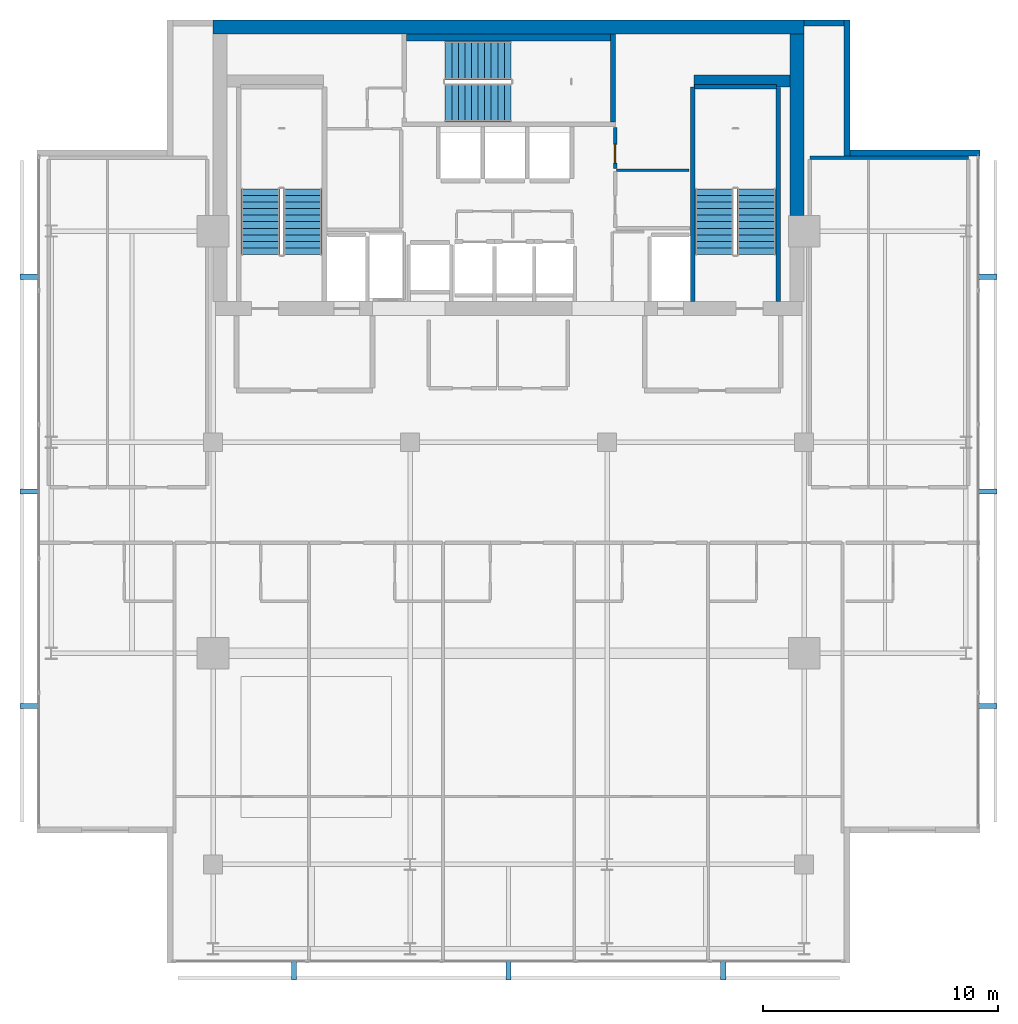
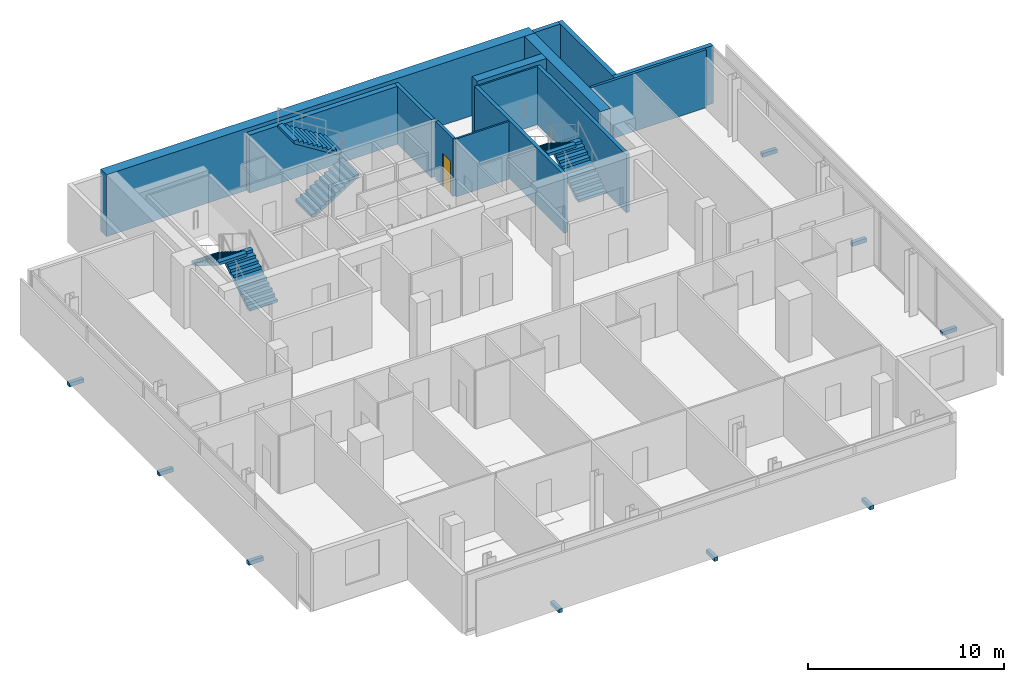
# One storey, part 20 of 24: 14 walls, 9 discrete accessories, 6 stair flights, 1 door, 1 opening, 3 elements without a shape of their own.
"""IFC4 building model written with IfcOpenShell, lengths in metres."""

from ifc_helpers import new_model, si_unit, direction, frame, frame_2d, origin, origin_2d, place, context, subcontext, project, spatial, polyline, rectangle, outline, extrude, material, layer, layer_set, type_object, element, fill, aggregate, save


model = new_model("IFC4")

# Units and contexts
model_context = context("Model", 3, precision=1e-05, world=origin(), true_north=direction((0.0, 1.0)))
body_context = subcontext(model_context, "Body", "Model", "MODEL_VIEW")
ifc_project = project(units=[si_unit("LENGTHUNIT", "METRE"), si_unit("AREAUNIT", "SQUARE_METRE"), si_unit("VOLUMEUNIT", "CUBIC_METRE"), si_unit("PLANEANGLEUNIT", "RADIAN"), si_unit("MASSUNIT", "GRAM", prefix="KILO")], contexts=[model_context])

# Site, building, storey
site_placement = place(None, origin())
site = spatial("IfcSite", under=ifc_project, at=site_placement, CompositionType="ELEMENT")
building_placement = place(site_placement, origin())
building = spatial("IfcBuilding", under=site, at=building_placement, Name="Maruvema Waterfront Hotel and Observation Tower", CompositionType="ELEMENT")
storey_placement = place(building_placement, frame((0.0, 0.0, 325.85009765625)))
storey = spatial("IfcBuildingStorey", under=building, at=storey_placement, Name="L80", CompositionType="ELEMENT", Elevation=325.85009765625)

# Wall, opening, door
ifc_material_1 = material(Name="Twin-stud acoustic gypsum drywall", Category="gypsum")
ifc_layer_1 = layer(ifc_material_1, 0.14990234375, Name="Acoustic Corridor and Suite Demising Wall 150 mm")
ifc_layer_set_1 = layer_set([ifc_layer_1], Name="Twin-stud acoustic gypsum drywall")
wall_type_1 = type_object("IfcWallType", Name="Acoustic Corridor and Suite Demising Wall 150 mm", PredefinedType="PARTITIONING", material=ifc_layer_set_1)
wall_1_placement = place(storey_placement, frame((42.340087890625, 47.659912109375, 0.0), z_axis=(0.0, 0.0, 1.0), x_axis=(0.0, 1.0, 0.0)))
wall_1 = element("IfcWall", 1, at=wall_1_placement, inside=storey, type_object=wall_type_1, Name="L80 Freed B2 West N 023", PredefinedType="PARTITIONING", context=body_context, shape_type="SweptSolid", body=[
    extrude(rectangle(XDim=1.760009765625, YDim=0.14990234375, at=frame_2d((0.8798828125, 0.0))), origin(), (0.0, 0.0, 1.0), 3.60986328125),
])
opening_placement = place(wall_1_placement, frame((0.239990234375, 0.0, 0.0)))
opening = element("IfcOpeningElement", 2, at=opening_placement, cuts=wall_1, Name="Opening DR-080", PredefinedType="OPENING", context=body_context, shape_type="SweptSolid", body=[
    extrude(rectangle(XDim=0.800048828125, YDim=2.050048828125, at=frame_2d((0.39990234375, 1.02490234375))), frame((0.0, 0.0849609375, 0.0), z_axis=(0.0, -1.0, 0.0), x_axis=(1.0, 0.0, 0.0)), (0.0, 0.0, 1.0), 0.169921875),
])
ifc_material_2 = material(Name="Powder-coated steel access leaf", Category="steel")
door_type = type_object("IfcDoorType", Name="Riser and Service Cupboard Door 800x2050 mm", OperationType="NOTDEFINED", PredefinedType="DOOR", material=ifc_material_2)
door_placement = place(opening_placement, frame((0.800048828125, 0.0, 0.0), z_axis=(0.0, 0.0, 1.0), x_axis=(-1.0, 0.0, 0.0)))
door = element("IfcDoor", 3, at=door_placement, inside=storey, type_object=door_type, Name="L80 Core IT and Linen Store Door", OperationType="SINGLE_SWING_RIGHT", OverallHeight=2.050048828125, OverallWidth=0.800048828125, PredefinedType="DOOR", context=body_context, shape_type="SweptSolid", body=[
    extrude(rectangle(XDim=0.800048828125, YDim=2.050048828125, at=frame_2d((0.39990234375, 1.02490234375))), frame((0.0, 0.02490234375, 0.0), z_axis=(0.0, -1.0, 0.0), x_axis=(1.0, 0.0, 0.0)), (0.0, 0.0, 1.0), 0.050048828125),
])
fill(opening, door)

# Walls
wall_2_placement = place(storey_placement, frame((50.64990234375, 48.125, 0.0), z_axis=(0.0, 0.0, 1.0), x_axis=(1.0, 0.0, 0.0)))
element("IfcWall", 4, at=wall_2_placement, inside=storey, type_object=wall_type_1, Name="L80 L80-Z4E Back Wall 037", PredefinedType="PARTITIONING", context=body_context, shape_type="SweptSolid", body=[
    extrude(rectangle(XDim=6.75, YDim=0.14990234375, at=frame_2d((3.375, 0.0))), origin(), (0.0, 0.0, 1.0), 3.60986328125),
])
ifc_material_3 = material(Name="Precast concrete C45/55", Category="concrete")
ifc_layer_2 = layer(ifc_material_3, 0.300048828125, Name="Core Shaft Furring Wall 300 mm")
ifc_layer_set_2 = layer_set([ifc_layer_2], Name="Precast concrete C45/55")
wall_type_2 = type_object("IfcWallType", Name="Core Shaft Furring Wall 300 mm", PredefinedType="SOLIDWALL", material=ifc_layer_set_2)
wall_3_placement = place(storey_placement, frame((33.449951171875, 53.25, 0.0), z_axis=(0.0, 0.0, 1.0), x_axis=(1.0, 0.0, 0.0)))
element("IfcWall", 5, at=wall_3_placement, inside=storey, type_object=wall_type_2, Name="L80 Stairwell ST-02 North Furring Wall", PredefinedType="SOLIDWALL", context=body_context, shape_type="SweptSolid", body=[
    extrude(rectangle(XDim=8.699951171875, YDim=0.300048828125, at=frame_2d((4.35009765625, 0.0))), origin(), (0.0, 0.0, 1.0), 3.60986328125),
])
ifc_material_4 = material(Name="Precast concrete C45/55", Category="concrete")
ifc_layer_3 = layer(ifc_material_4, 0.199951171875, Name="Core Shaft and Stairwell Enclosure Wall 200 mm")
ifc_layer_set_3 = layer_set([ifc_layer_3], Name="Precast concrete C45/55")
wall_type_3 = type_object("IfcWallType", Name="Core Shaft and Stairwell Enclosure Wall 200 mm", PredefinedType="SOLIDWALL", material=ifc_layer_set_3)
wall_4_placement = place(storey_placement, frame((42.25, 49.64990234375, 0.0), z_axis=(0.0, 0.0, 1.0), x_axis=(0.0, 1.0, 0.0)))
element("IfcWall", 6, at=wall_4_placement, inside=storey, type_object=wall_type_3, Name="L80 Stairwell ST-02 Shaft Wall", PredefinedType="SOLIDWALL", context=body_context, shape_type="SweptSolid", body=[
    extrude(rectangle(XDim=3.75, YDim=0.199951171875, at=frame_2d((1.875, 0.0))), origin(), (0.0, 0.0, 1.0), 3.60986328125),
])
wall_5_placement = place(storey_placement, frame((45.64990234375, 42.0, 0.0), z_axis=(0.0, 0.0, 1.0), x_axis=(0.0, 1.0, 0.0)))
element("IfcWall", 7, at=wall_5_placement, inside=storey, type_object=wall_type_3, Name="L80 Stairwell ST-03 West Shaft Wall", PredefinedType="SOLIDWALL", context=body_context, shape_type="SweptSolid", body=[
    extrude(rectangle(XDim=9.14990234375, YDim=0.199951171875, at=frame_2d((4.574951171875, 0.0))), origin(), (0.0, 0.0, 1.0), 3.60986328125),
])
wall_6_placement = place(storey_placement, frame((49.300048828125, 42.0, 0.0), z_axis=(0.0, 0.0, 1.0), x_axis=(0.0, 1.0, 0.0)))
element("IfcWall", 8, at=wall_6_placement, inside=storey, type_object=wall_type_3, Name="L80 Stairwell ST-03 Shaft Lining Wall", PredefinedType="SOLIDWALL", context=body_context, shape_type="SweptSolid", body=[
    extrude(rectangle(XDim=9.1201171875, YDim=0.199951171875, at=frame_2d((4.56005859375, 0.0))), origin(), (0.0, 0.0, 1.0), 3.60986328125),
])
wall_7_placement = place(storey_placement, frame((45.719970703125, 51.14990234375, 0.0), z_axis=(0.0, 0.0, 1.0), x_axis=(1.0, 0.0, 0.0)))
element("IfcWall", 9, at=wall_7_placement, inside=storey, type_object=wall_type_3, Name="L80 Stairwell ST-03 Shaft Lining Wall", PredefinedType="SOLIDWALL", context=body_context, shape_type="SweptSolid", body=[
    extrude(rectangle(XDim=3.5, YDim=0.199951171875, at=frame_2d((1.75, 0.0))), origin(), (0.0, 0.0, 1.0), 3.60986328125),
])
ifc_material_5 = material(Name="Concrete C70/85", Category="concrete")
ifc_layer_4 = layer(ifc_material_5, 0.5, Name="Core Shear Wall 500 mm")
ifc_layer_set_4 = layer_set([ifc_layer_4], Name="Concrete C70/85")
wall_type_4 = type_object("IfcWallType", Name="Core Shear Wall 500 mm", PredefinedType="SHEAR", material=ifc_layer_set_4)
wall_8_placement = place(storey_placement, frame((45.699951171875, 51.39990234375, 0.0), z_axis=(0.0, 0.0, 1.0), x_axis=(1.0, 0.0, 0.0)))
element("IfcWall", 10, at=wall_8_placement, inside=storey, type_object=wall_type_4, Name="L80 Internal Core Shear Wall NE 500 mm", PredefinedType="SHEAR", context=body_context, shape_type="SweptSolid", body=[
    extrude(rectangle(XDim=4.10009765625, YDim=0.5, at=frame_2d((2.050048828125, 0.0))), origin(), (0.0, 0.0, 1.0), 3.849853515625),
])
ifc_material_6 = material(Name="Concrete C60/75", Category="concrete")
ifc_layer_5 = layer(ifc_material_6, 0.60009765625, Name="Core Shear Wall 600 mm")
ifc_layer_set_5 = layer_set([ifc_layer_5], Name="Concrete C60/75")
wall_type_5 = type_object("IfcWallType", Name="Core Shear Wall 600 mm", PredefinedType="SHEAR", material=ifc_layer_set_5)
wall_9_placement = place(storey_placement, frame((25.199951171875, 53.699951171875, 0.0), z_axis=(0.0, 0.0, 1.0), x_axis=(1.0, 0.0, 0.0)))
element("IfcWall", 11, at=wall_9_placement, inside=storey, type_object=wall_type_5, Name="L80 North Core Shear Wall", PredefinedType="SHEAR", context=body_context, shape_type="SweptSolid", body=[
    extrude(rectangle(XDim=25.199951171875, YDim=0.60009765625, at=frame_2d((12.60009765625, 0.0))), origin(), (0.0, 0.0, 1.0), 3.849853515625),
])
wall_10_placement = place(storey_placement, frame((50.10009765625, 45.675048828125, 0.0), z_axis=(0.0, 0.0, 1.0), x_axis=(0.0, 1.0, 0.0)))
element("IfcWall", 12, at=wall_10_placement, inside=storey, type_object=wall_type_5, Name="L80 East-North Core Shear Wall", PredefinedType="SHEAR", context=body_context, shape_type="SweptSolid", body=[
    extrude(rectangle(XDim=7.724853515625, YDim=0.60009765625, at=frame_2d((3.8623046875, 0.0))), origin(), (0.0, 0.0, 1.0), 3.849853515625),
])
ifc_material_7 = material(Name="Moisture-resistant cement-board drywall", Category="gypsum")
ifc_layer_6 = layer(ifc_material_7, 0.10009765625, Name="En-Suite Moisture-Resistant Partition 100 mm")
ifc_layer_set_6 = layer_set([ifc_layer_6], Name="Moisture-resistant cement-board drywall")
wall_type_6 = type_object("IfcWallType", Name="En-Suite Moisture-Resistant Partition 100 mm", PredefinedType="PARTITIONING", material=ifc_layer_set_6)
wall_11_placement = place(storey_placement, frame((42.39990234375, 47.60009765625, 0.0), z_axis=(0.0, 0.0, 1.0), x_axis=(1.0, 0.0, 0.0)))
element("IfcWall", 13, at=wall_11_placement, inside=storey, type_object=wall_type_6, Name="L80 Freed B2 Split 024", PredefinedType="PARTITIONING", context=body_context, shape_type="SweptSolid", body=[
    extrude(rectangle(XDim=3.10009765625, YDim=0.10009765625, at=frame_2d((1.550048828125, 0.0))), origin(), (0.0, 0.0, 1.0), 3.60986328125),
])
ifc_material_8 = material(Name="Precast concrete C45/55 with honed Pernambuco granite facing", Category="masonry")
ifc_layer_7 = layer(ifc_material_8, 0.260009765625, Name="Exterior Granite Clad Spandrel and Pier Wall 260 mm")
ifc_layer_set_7 = layer_set([ifc_layer_7], Name="Precast concrete C45/55 with honed Pernambuco granite facing")
wall_type_7 = type_object("IfcWallType", Name="Exterior Granite Clad Spandrel and Pier Wall 260 mm", PredefinedType="SOLIDWALL", material=ifc_layer_set_7)
wall_12_placement = place(storey_placement, frame((52.22998046875, 54.0, 0.0), z_axis=(0.0, 0.0, 1.0), x_axis=(0.0, -1.0, 0.0)))
element("IfcWall", 14, at=wall_12_placement, inside=storey, type_object=wall_type_7, Name="L80 Corner Notch Granite Pier Wall NE1", PredefinedType="SOLIDWALL", context=body_context, shape_type="SweptSolid", body=[
    extrude(rectangle(XDim=5.800048828125, YDim=0.260009765625, at=frame_2d((2.89990234375, 0.0))), origin(), (0.0, 0.0, 1.0), 3.60986328125),
])
wall_13_placement = place(storey_placement, frame((52.10009765625, 48.330078125, 0.0), z_axis=(0.0, 0.0, 1.0), x_axis=(1.0, 0.0, 0.0)))
element("IfcWall", 15, at=wall_13_placement, inside=storey, type_object=wall_type_7, Name="L80 Corner Notch Granite Pier Wall NE2", PredefinedType="SOLIDWALL", context=body_context, shape_type="SweptSolid", body=[
    extrude(rectangle(XDim=5.7998046875, YDim=0.260009765625, at=frame_2d((2.89990234375, 0.0))), origin(), (0.0, 0.0, 1.0), 3.60986328125),
])
wall_14_placement = place(storey_placement, frame((52.10009765625, 53.8701171875, 0.0), z_axis=(0.0, 0.0, 1.0), x_axis=(-1.0, 0.0, 0.0)))
element("IfcWall", 16, at=wall_14_placement, inside=storey, type_object=wall_type_7, Name="L80 North-East Core Flanking Pier Wall", PredefinedType="SOLIDWALL", context=body_context, shape_type="SweptSolid", body=[
    extrude(rectangle(XDim=1.7001953125, YDim=0.260009765625, at=frame_2d((0.85009765625, 0.0))), origin(), (0.0, 0.0, 1.0), 3.60986328125),
])

# Stair, stair flights
ifc_material_9 = material(Name="Concrete C50/60", Category="concrete")
stair_type = type_object("IfcStairType", Name="Dogleg Exit Stair 1650 mm (22R x 175.0 mm)", PredefinedType="HALF_TURN_STAIR", material=ifc_material_9)
stair_1_placement = place(storey_placement, origin())
stair_1 = element("IfcStair", 17, at=stair_1_placement, inside=storey, type_object=stair_type, Name="L80 ST-01", PredefinedType="HALF_TURN_STAIR")
ifc_material_10 = material(Name="Concrete C50/60", Category="concrete")
stair_flight_type = type_object("IfcStairFlightType", Name="Reinforced Concrete Stair Flight 1650 mm (11R x 175.0 mm)", PredefinedType="STRAIGHT", material=ifc_material_10)
stair_flight_1_placement = place(storey_placement, frame((29.02490234375, 44.0, 0.0), z_axis=(0.0, 0.0, 1.0), x_axis=(0.0, 1.0, 0.0)))
stair_flight_1 = element("IfcStairFlight", 18, at=stair_flight_1_placement, type_object=stair_flight_type, Name="ST-01 flight 1", NumberOfRisers=11, NumberOfTreads=10, PredefinedType="STRAIGHT", RiserHeight=0.175, TreadLength=0.28, context=body_context, shape_type="SweptSolid", body=[
    extrude(outline(polyline([(0.0, 0.0), (0.0, 0.175048828125), (0.280029296875, 0.175048828125), (0.280029296875, 0.35009765625), (0.56005859375, 0.35009765625), (0.56005859375, 0.52490234375), (0.840087890625, 0.52490234375), (0.840087890625, 0.699951171875), (1.1201171875, 0.699951171875), (1.1201171875, 0.875), (1.39990234375, 0.875), (1.39990234375, 1.050048828125), (1.679931640625, 1.050048828125), (1.679931640625, 1.22509765625), (1.9599609375, 1.22509765625), (1.9599609375, 1.39990234375), (2.239990234375, 1.39990234375), (2.239990234375, 1.574951171875), (2.52001953125, 1.574951171875), (2.52001953125, 1.75), (2.800048828125, 1.75), (2.800048828125, 1.925048828125), (2.800048828125, 1.5732421875), (0.28271484375, 0.0), (0.0, 0.0)])), frame((0.0, 0.824951171875, 0.0), z_axis=(0.0, -1.0, 0.0), x_axis=(1.0, 0.0, 0.0)), (0.0, 0.0, 1.0), 1.64990234375),
])
stair_flight_2_placement = place(storey_placement, frame((27.22509765625, 46.800048828125, 1.9248046875), z_axis=(0.0, 0.0, 1.0), x_axis=(0.0, -1.0, 0.0)))
stair_flight_2 = element("IfcStairFlight", 19, at=stair_flight_2_placement, type_object=stair_flight_type, Name="ST-01 flight 2", NumberOfRisers=11, NumberOfTreads=10, PredefinedType="STRAIGHT", RiserHeight=0.175, TreadLength=0.28, context=body_context, shape_type="SweptSolid", body=[
    extrude(outline(polyline([(0.0, 0.0), (0.0, 0.175048828125), (0.280029296875, 0.175048828125), (0.280029296875, 0.35009765625), (0.56005859375, 0.35009765625), (0.56005859375, 0.52490234375), (0.840087890625, 0.52490234375), (0.840087890625, 0.699951171875), (1.1201171875, 0.699951171875), (1.1201171875, 0.875), (1.39990234375, 0.875), (1.39990234375, 1.050048828125), (1.679931640625, 1.050048828125), (1.679931640625, 1.22509765625), (1.9599609375, 1.22509765625), (1.9599609375, 1.39990234375), (2.239990234375, 1.39990234375), (2.239990234375, 1.574951171875), (2.52001953125, 1.574951171875), (2.52001953125, 1.75), (2.800048828125, 1.75), (2.800048828125, 1.925048828125), (2.800048828125, 1.5732421875), (0.28271484375, 0.0), (0.0, 0.0)])), frame((0.0, 0.824951171875, 0.0), z_axis=(0.0, -1.0, 0.0), x_axis=(1.0, 0.0, 0.0)), (0.0, 0.0, 1.0), 1.64990234375),
])
aggregate(stair_1, [stair_flight_1, stair_flight_2])

stair_2_placement = place(storey_placement, origin())
stair_2 = element("IfcStair", 20, at=stair_2_placement, inside=storey, type_object=stair_type, Name="L80 ST-02", PredefinedType="HALF_TURN_STAIR")
stair_flight_3_placement = place(storey_placement, frame((35.10009765625, 50.47509765625, 0.0), z_axis=(0.0, 0.0, 1.0), x_axis=(1.0, 0.0, 0.0)))
stair_flight_3 = element("IfcStairFlight", 21, at=stair_flight_3_placement, type_object=stair_flight_type, Name="ST-02 flight 1", NumberOfRisers=11, NumberOfTreads=10, PredefinedType="STRAIGHT", RiserHeight=0.175, TreadLength=0.28, context=body_context, shape_type="SweptSolid", body=[
    extrude(outline(polyline([(0.0, 0.0), (0.0, 0.175048828125), (0.280029296875, 0.175048828125), (0.280029296875, 0.35009765625), (0.56005859375, 0.35009765625), (0.56005859375, 0.52490234375), (0.840087890625, 0.52490234375), (0.840087890625, 0.699951171875), (1.1201171875, 0.699951171875), (1.1201171875, 0.875), (1.39990234375, 0.875), (1.39990234375, 1.050048828125), (1.679931640625, 1.050048828125), (1.679931640625, 1.22509765625), (1.9599609375, 1.22509765625), (1.9599609375, 1.39990234375), (2.239990234375, 1.39990234375), (2.239990234375, 1.574951171875), (2.52001953125, 1.574951171875), (2.52001953125, 1.75), (2.800048828125, 1.75), (2.800048828125, 1.925048828125), (2.800048828125, 1.5732421875), (0.28271484375, 0.0), (0.0, 0.0)])), frame((0.0, 0.824951171875, 0.0), z_axis=(0.0, -1.0, 0.0), x_axis=(1.0, 0.0, 0.0)), (0.0, 0.0, 1.0), 1.64990234375),
])
stair_flight_4_placement = place(storey_placement, frame((37.89990234375, 52.27490234375, 1.9248046875), z_axis=(0.0, 0.0, 1.0), x_axis=(-1.0, 0.0, 0.0)))
stair_flight_4 = element("IfcStairFlight", 22, at=stair_flight_4_placement, type_object=stair_flight_type, Name="ST-02 flight 2", NumberOfRisers=11, NumberOfTreads=10, PredefinedType="STRAIGHT", RiserHeight=0.175, TreadLength=0.28, context=body_context, shape_type="SweptSolid", body=[
    extrude(outline(polyline([(0.0, 0.0), (0.0, 0.175048828125), (0.280029296875, 0.175048828125), (0.280029296875, 0.35009765625), (0.56005859375, 0.35009765625), (0.56005859375, 0.52490234375), (0.840087890625, 0.52490234375), (0.840087890625, 0.699951171875), (1.1201171875, 0.699951171875), (1.1201171875, 0.875), (1.39990234375, 0.875), (1.39990234375, 1.050048828125), (1.679931640625, 1.050048828125), (1.679931640625, 1.22509765625), (1.9599609375, 1.22509765625), (1.9599609375, 1.39990234375), (2.239990234375, 1.39990234375), (2.239990234375, 1.574951171875), (2.52001953125, 1.574951171875), (2.52001953125, 1.75), (2.800048828125, 1.75), (2.800048828125, 1.925048828125), (2.800048828125, 1.5732421875), (0.28271484375, 0.0), (0.0, 0.0)])), frame((0.0, 0.824951171875, 0.0), z_axis=(0.0, -1.0, 0.0), x_axis=(1.0, 0.0, 0.0)), (0.0, 0.0, 1.0), 1.64990234375),
])
aggregate(stair_2, [stair_flight_3, stair_flight_4])

stair_3_placement = place(storey_placement, origin())
stair_3 = element("IfcStair", 23, at=stair_3_placement, inside=storey, type_object=stair_type, Name="L80 ST-03", PredefinedType="HALF_TURN_STAIR")
stair_flight_5_placement = place(storey_placement, frame((48.375, 44.0, 0.0), z_axis=(0.0, 0.0, 1.0), x_axis=(0.0, 1.0, 0.0)))
stair_flight_5 = element("IfcStairFlight", 24, at=stair_flight_5_placement, type_object=stair_flight_type, Name="ST-03 flight 1", NumberOfRisers=11, NumberOfTreads=10, PredefinedType="STRAIGHT", RiserHeight=0.175, TreadLength=0.28, context=body_context, shape_type="SweptSolid", body=[
    extrude(outline(polyline([(0.0, 0.0), (0.0, 0.175048828125), (0.280029296875, 0.175048828125), (0.280029296875, 0.35009765625), (0.56005859375, 0.35009765625), (0.56005859375, 0.52490234375), (0.840087890625, 0.52490234375), (0.840087890625, 0.699951171875), (1.1201171875, 0.699951171875), (1.1201171875, 0.875), (1.39990234375, 0.875), (1.39990234375, 1.050048828125), (1.679931640625, 1.050048828125), (1.679931640625, 1.22509765625), (1.9599609375, 1.22509765625), (1.9599609375, 1.39990234375), (2.239990234375, 1.39990234375), (2.239990234375, 1.574951171875), (2.52001953125, 1.574951171875), (2.52001953125, 1.75), (2.800048828125, 1.75), (2.800048828125, 1.925048828125), (2.800048828125, 1.5732421875), (0.28271484375, 0.0), (0.0, 0.0)])), frame((0.0, 0.824951171875, 0.0), z_axis=(0.0, -1.0, 0.0), x_axis=(1.0, 0.0, 0.0)), (0.0, 0.0, 1.0), 1.64990234375),
])
stair_flight_6_placement = place(storey_placement, frame((46.574951171875, 46.800048828125, 1.9248046875), z_axis=(0.0, 0.0, 1.0), x_axis=(0.0, -1.0, 0.0)))
stair_flight_6 = element("IfcStairFlight", 25, at=stair_flight_6_placement, type_object=stair_flight_type, Name="ST-03 flight 2", NumberOfRisers=11, NumberOfTreads=10, PredefinedType="STRAIGHT", RiserHeight=0.175, TreadLength=0.28, context=body_context, shape_type="SweptSolid", body=[
    extrude(outline(polyline([(0.0, 0.0), (0.0, 0.175048828125), (0.280029296875, 0.175048828125), (0.280029296875, 0.35009765625), (0.56005859375, 0.35009765625), (0.56005859375, 0.52490234375), (0.840087890625, 0.52490234375), (0.840087890625, 0.699951171875), (1.1201171875, 0.699951171875), (1.1201171875, 0.875), (1.39990234375, 0.875), (1.39990234375, 1.050048828125), (1.679931640625, 1.050048828125), (1.679931640625, 1.22509765625), (1.9599609375, 1.22509765625), (1.9599609375, 1.39990234375), (2.239990234375, 1.39990234375), (2.239990234375, 1.574951171875), (2.52001953125, 1.574951171875), (2.52001953125, 1.75), (2.800048828125, 1.75), (2.800048828125, 1.925048828125), (2.800048828125, 1.5732421875), (0.28271484375, 0.0), (0.0, 0.0)])), frame((0.0, 0.824951171875, 0.0), z_axis=(0.0, -1.0, 0.0), x_axis=(1.0, 0.0, 0.0)), (0.0, 0.0, 1.0), 1.64990234375),
])
aggregate(stair_3, [stair_flight_5, stair_flight_6])

# Discrete accessories
ifc_material_11 = material(Name="Duplex stainless steel Grade 2205", Category="steel")
discrete_accessory_type = type_object("IfcDiscreteAccessoryType", Name="Double-Skin Cavity Stainless Outrigger Bracket", PredefinedType="BRACKET", material=ifc_material_11)
for number, where, z_axis, x_axis, name in (
    (26, (28.64794921875, 13.5, -0.14013671875), (0.0, 0.0, 1.0), (1.0, 0.0, 0.0), "L80 Outer Skin Support Bracket 1"),
    (27, (37.800048828125, 13.5, -0.14013671875), (0.0, 0.0, 1.0), (1.0, 0.0, 0.0), "L80 Outer Skin Support Bracket 2"),
    (28, (46.951904296875, 13.5, -0.14013671875), (0.0, 0.0, 1.0), (1.0, 0.0, 0.0), "L80 Outer Skin Support Bracket 3"),
    (29, (58.199951171875, 24.748046875, -0.14013671875), (0.0, 0.0, 1.0), (0.0, 1.0, 0.0), "L80 Outer Skin Support Bracket 1"),
    (30, (58.199951171875, 33.89990234375, -0.14013671875), (0.0, 0.0, 1.0), (0.0, 1.0, 0.0), "L80 Outer Skin Support Bracket 2"),
    (31, (58.199951171875, 43.052001953125, -0.14013671875), (0.0, 0.0, 1.0), (0.0, 1.0, 0.0), "L80 Outer Skin Support Bracket 3"),
    (32, (17.39990234375, 43.052001953125, -0.14013671875), (0.0, 0.0, 1.0), (0.0, -1.0, 0.0), "L80 Outer Skin Support Bracket 1"),
    (33, (17.39990234375, 33.89990234375, -0.14013671875), (0.0, 0.0, 1.0), (0.0, -1.0, 0.0), "L80 Outer Skin Support Bracket 2"),
    (34, (17.39990234375, 24.748046875, -0.14013671875), (0.0, 0.0, 1.0), (0.0, -1.0, 0.0), "L80 Outer Skin Support Bracket 3"),
):
    element("IfcDiscreteAccessory", number, at=place(storey_placement, frame(where, z_axis=z_axis, x_axis=x_axis)), inside=storey, type_object=discrete_accessory_type, Name=name, PredefinedType="BRACKET", context=body_context, shape_type="SweptSolid", body=[
        extrude(rectangle(XDim=0.219970703125, YDim=0.860107421875, at=origin_2d()), origin(), (0.0, 0.0, 1.0), 0.239990234375),
    ])

save(model, "model.ifc")
